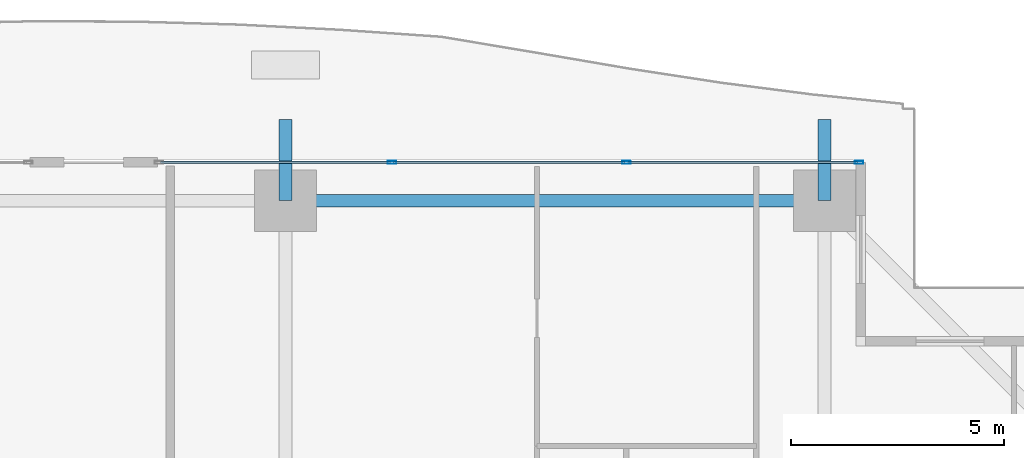
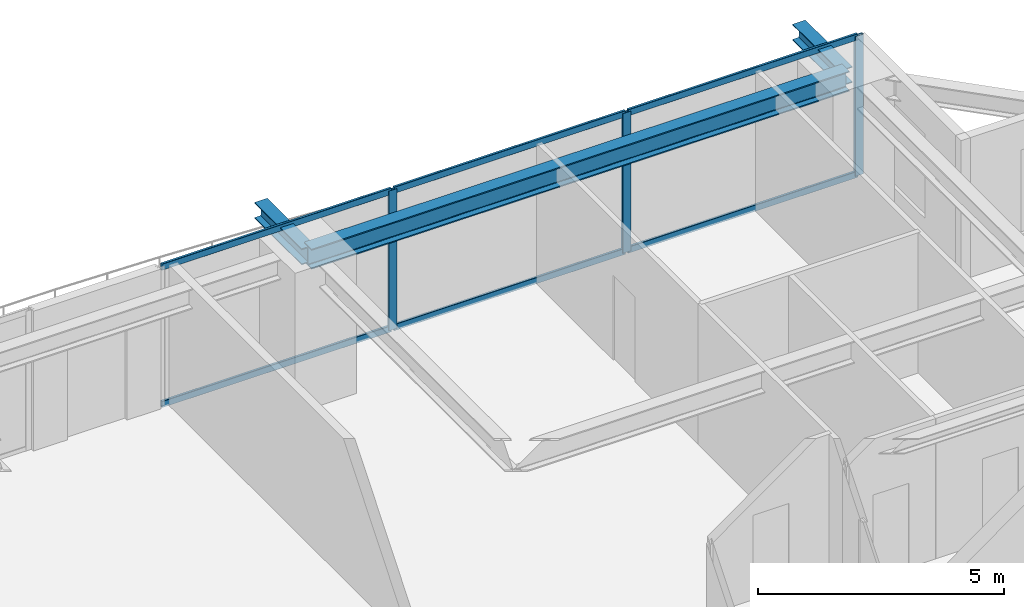
# One storey, part 21 of 36: 9 members, 3 beams, 1 element without a shape of its own.
"""IFC4 building model written with IfcOpenShell, lengths in metres."""

from ifc_helpers import new_model, si_unit, direction, frame, origin, origin_2d, place, context, subcontext, project, spatial, hollow_rectangle, i_section, extrude, source, transform, mapped, material, layer, layer_set, material_profile, profile_set, type_object, element, aggregate, save


model = new_model("IFC4")

# Units and contexts
model_context = context("Model", 3, precision=1e-05, world=origin(), true_north=direction((0.0, 1.0)))
body_context = subcontext(model_context, "Body", "Model", "MODEL_VIEW")
ifc_project = project(units=[si_unit("LENGTHUNIT", "METRE"), si_unit("AREAUNIT", "SQUARE_METRE"), si_unit("VOLUMEUNIT", "CUBIC_METRE"), si_unit("PLANEANGLEUNIT", "RADIAN"), si_unit("MASSUNIT", "GRAM", prefix="KILO")], contexts=[model_context])

# Site, building, storey
site_placement = place(None, origin())
site = spatial("IfcSite", under=ifc_project, at=site_placement, CompositionType="ELEMENT")
building_placement = place(site_placement, origin())
building = spatial("IfcBuilding", under=site, at=building_placement, Name="Serunith Strait Residences", CompositionType="ELEMENT")
storey_placement = place(building_placement, frame((0.0, 0.0, 41.699951171875)))
storey = spatial("IfcBuildingStorey", under=building, at=storey_placement, Name="L09", CompositionType="ELEMENT", Elevation=41.699951171875)

# Beams
ifc_material_1 = material(Name="Steel S355J2", Category="steel")
ifc_material_profile_1 = material_profile(ifc_material_1, i_section(OverallWidth=0.300048828125, OverallDepth=0.5, WebThickness=0.014404296875, FlangeThickness=0.028076171875, FilletRadius=0.027099609375, at=origin_2d()), Name="HEB 500")
ifc_profile_set_1 = profile_set([ifc_material_profile_1], Name="Steel S355J2")
beam_type_1 = type_object("IfcBeamType", Name="BM-HEB500", PredefinedType="BEAM", material=ifc_profile_set_1)
shared_shape_1 = source(origin(), body_context, "Body", "SweptSolid", [
    extrude(i_section(OverallWidth=0.300048828125, OverallDepth=0.5, WebThickness=0.014404296875, FlangeThickness=0.028076171875, FilletRadius=0.027099609375, at=origin_2d()), origin(), (0.0, 0.0, 1.0), 12.650146484375),
])
beam_placement = place(storey_placement, frame((49.550048828125, 49.300048828125, 3.237060546875), z_axis=(-1.0, 0.0, 0.0), x_axis=(0.0, -1.0, 0.0)))
element("IfcBeam", 1, at=beam_placement, inside=storey, type_object=beam_type_1, Name="L09 Perimeter Ring Beam 09", PredefinedType="BEAM", context=body_context, shape_type="MappedRepresentation", body=[
    mapped(shared_shape_1, transform((0.0, 0.0, 0.0), scale=1.0)),
])
ifc_material_profile_2 = material_profile(ifc_material_1, i_section(OverallWidth=0.300048828125, OverallDepth=0.39990234375, WebThickness=0.013427734375, FlangeThickness=0.02392578125, FilletRadius=0.027099609375, at=origin_2d()), Name="HEB 400")
ifc_profile_set_2 = profile_set([ifc_material_profile_2], Name="Steel S355J2")
beam_type_2 = type_object("IfcBeamType", Name="BM-HEB400", PredefinedType="BEAM", material=ifc_profile_set_2)
shared_shape_2 = source(origin(), body_context, "Body", "SweptSolid", [
    extrude(i_section(OverallWidth=0.300048828125, OverallDepth=0.39990234375, WebThickness=0.013427734375, FlangeThickness=0.02392578125, FilletRadius=0.027099609375, at=origin_2d()), origin(), (0.0, 0.0, 1.0), 1.909912109375),
])
for number, where, z_axis, x_axis, name in (
    (2, (36.89990234375, 49.300048828125, 3.257080078125), (0.0, 1.0, 0.0), (-1.0, 0.0, 0.0), "L10 Cantilevered Balcony Rib TC-N3"),
    (3, (49.550048828125, 49.300048828125, 3.257080078125), (0.0, 1.0, 0.0), (-1.0, 0.0, 0.0), "L10 Cantilevered Balcony Rib TC-N4"),
):
    element("IfcBeam", number, at=place(storey_placement, frame(where, z_axis=z_axis, x_axis=x_axis)), inside=storey, type_object=beam_type_2, Name=name, PredefinedType="BEAM", context=body_context, shape_type="MappedRepresentation", body=[
        mapped(shared_shape_2, transform((0.0, 0.0, 0.0), scale=1.0)),
    ])

# Curtain wall, members
ifc_material_2 = material(Name="Pale-Champagne Anodised Aluminium", Category="aluminium")
ifc_layer = layer(ifc_material_2, 0.199951171875, Name="Pale-Champagne Anodised Aluminium")
ifc_layer_set = layer_set([ifc_layer], Name="Pale-Champagne Anodised Aluminium")
curtain_wall_type = type_object("IfcCurtainWallType", Name="CW-SYS1", PredefinedType="NOTDEFINED", material=ifc_layer_set)
curtain_wall_placement = place(storey_placement, origin())
curtain_wall = element("IfcCurtainWall", 4, at=curtain_wall_placement, inside=storey, type_object=curtain_wall_type, Name="L09 N Unitised Fritted Curtain Wall", PredefinedType="NOTDEFINED")
ifc_material_profile_3 = material_profile(ifc_material_2, hollow_rectangle(XDim=0.070068359375, YDim=0.199951171875, WallThickness=0.00390625, InnerFilletRadius=0.006103515625, OuterFilletRadius=0.010009765625, at=origin_2d()), Name="ALU 200x70x4")
ifc_profile_set_3 = profile_set([ifc_material_profile_3], Name="Pale-Champagne Anodised Aluminium")
member_type_1 = type_object("IfcMemberType", Name="CW-SYS1-MULL", PredefinedType="MULLION", material=ifc_profile_set_3)
shared_shape_3 = source(origin(), body_context, "Body", "SweptSolid", [
    extrude(hollow_rectangle(XDim=0.070068359375, YDim=0.199951171875, WallThickness=0.00390625, InnerFilletRadius=0.006103515625, OuterFilletRadius=0.010009765625, at=origin_2d()), origin(), (0.0, 0.0, 1.0), 3.47509765625),
])
member_1_placement = place(storey_placement, frame((50.364990234375, 50.199951171875, 0.0), z_axis=(0.0, 0.0, 1.0), x_axis=(0.0, -1.0, 0.0)))
member_1 = element("IfcMember", 5, at=member_1_placement, type_object=member_type_1, Name="CW-1 mullion 1", PredefinedType="MULLION", context=body_context, shape_type="MappedRepresentation", body=[
    mapped(shared_shape_3, transform((0.0, 0.0, 0.0), scale=1.0)),
])
member_2_placement = place(storey_placement, frame((44.89990234375, 50.199951171875, 0.0), z_axis=(0.0, 0.0, 1.0), x_axis=(0.0, -1.0, 0.0)))
member_2 = element("IfcMember", 6, at=member_2_placement, type_object=member_type_1, Name="CW-1 mullion 2", PredefinedType="MULLION", context=body_context, shape_type="MappedRepresentation", body=[
    mapped(shared_shape_3, transform((0.0, 0.0, 0.0), scale=1.0)),
])
member_3_placement = place(storey_placement, frame((39.39990234375, 50.199951171875, 0.0), z_axis=(0.0, 0.0, 1.0), x_axis=(0.0, -1.0, 0.0)))
member_3 = element("IfcMember", 7, at=member_3_placement, type_object=member_type_1, Name="CW-1 mullion 3", PredefinedType="MULLION", context=body_context, shape_type="MappedRepresentation", body=[
    mapped(shared_shape_3, transform((0.0, 0.0, 0.0), scale=1.0)),
])
ifc_material_profile_4 = material_profile(ifc_material_2, hollow_rectangle(XDim=0.06005859375, YDim=0.159912109375, WallThickness=0.00341796875, InnerFilletRadius=0.00537109375, OuterFilletRadius=0.0087890625, at=origin_2d()), Name="ALU 160x60x3.5")
ifc_profile_set_4 = profile_set([ifc_material_profile_4], Name="Pale-Champagne Anodised Aluminium")
member_type_2 = type_object("IfcMemberType", Name="CW-SYS1-TRAN", PredefinedType="USERDEFINED", material=ifc_profile_set_4)
shared_shape_4 = source(origin(), body_context, "Body", "SweptSolid", [
    extrude(hollow_rectangle(XDim=0.06005859375, YDim=0.159912109375, WallThickness=0.00341796875, InnerFilletRadius=0.00537109375, OuterFilletRadius=0.0087890625, at=origin_2d()), origin(), (0.0, 0.0, 1.0), 5.39501953125),
])
member_4_placement = place(storey_placement, frame((50.330078125, 50.199951171875, 0.030029296875), z_axis=(-1.0, 0.0, 0.0), x_axis=(0.0, -1.0, 0.0)))
member_4 = element("IfcMember", 8, at=member_4_placement, type_object=member_type_2, Name="CW-1 transom 1.1", ObjectType="TRANSOM", PredefinedType="USERDEFINED", context=body_context, shape_type="MappedRepresentation", body=[
    mapped(shared_shape_4, transform((0.0, 0.0, 0.0), scale=1.0)),
])
member_5_placement = place(storey_placement, frame((50.330078125, 50.199951171875, 3.445068359375), z_axis=(-1.0, 0.0, 0.0), x_axis=(0.0, -1.0, 0.0)))
member_5 = element("IfcMember", 9, at=member_5_placement, type_object=member_type_2, Name="CW-1 transom 1.2", ObjectType="TRANSOM", PredefinedType="USERDEFINED", context=body_context, shape_type="MappedRepresentation", body=[
    mapped(shared_shape_4, transform((0.0, 0.0, 0.0), scale=1.0)),
])
member_6_placement = place(storey_placement, frame((39.364990234375, 50.199951171875, 0.030029296875), z_axis=(-1.0, 0.0, 0.0), x_axis=(0.0, -1.0, 0.0)))
member_6 = element("IfcMember", 10, at=member_6_placement, type_object=member_type_2, Name="CW-1 transom 3.1", ObjectType="TRANSOM", PredefinedType="USERDEFINED", context=body_context, shape_type="MappedRepresentation", body=[
    mapped(shared_shape_4, transform((0.0, 0.0, 0.0), scale=1.0)),
])
member_7_placement = place(storey_placement, frame((39.364990234375, 50.199951171875, 3.445068359375), z_axis=(-1.0, 0.0, 0.0), x_axis=(0.0, -1.0, 0.0)))
member_7 = element("IfcMember", 11, at=member_7_placement, type_object=member_type_2, Name="CW-1 transom 3.2", ObjectType="TRANSOM", PredefinedType="USERDEFINED", context=body_context, shape_type="MappedRepresentation", body=[
    mapped(shared_shape_4, transform((0.0, 0.0, 0.0), scale=1.0)),
])
shared_shape_5 = source(origin(), body_context, "Body", "SweptSolid", [
    extrude(hollow_rectangle(XDim=0.06005859375, YDim=0.159912109375, WallThickness=0.00341796875, InnerFilletRadius=0.00537109375, OuterFilletRadius=0.0087890625, at=origin_2d()), origin(), (0.0, 0.0, 1.0), 5.429931640625),
])
member_8_placement = place(storey_placement, frame((44.864990234375, 50.199951171875, 0.030029296875), z_axis=(-1.0, 0.0, 0.0), x_axis=(0.0, -1.0, 0.0)))
member_8 = element("IfcMember", 12, at=member_8_placement, type_object=member_type_2, Name="CW-1 transom 2.1", ObjectType="TRANSOM", PredefinedType="USERDEFINED", context=body_context, shape_type="MappedRepresentation", body=[
    mapped(shared_shape_5, transform((0.0, 0.0, 0.0), scale=1.0)),
])
member_9_placement = place(storey_placement, frame((44.864990234375, 50.199951171875, 3.445068359375), z_axis=(-1.0, 0.0, 0.0), x_axis=(0.0, -1.0, 0.0)))
member_9 = element("IfcMember", 13, at=member_9_placement, type_object=member_type_2, Name="CW-1 transom 2.2", ObjectType="TRANSOM", PredefinedType="USERDEFINED", context=body_context, shape_type="MappedRepresentation", body=[
    mapped(shared_shape_5, transform((0.0, 0.0, 0.0), scale=1.0)),
])
aggregate(curtain_wall, [member_1, member_2, member_3, member_4, member_5, member_8, member_9, member_6, member_7])

save(model, "model.ifc")
